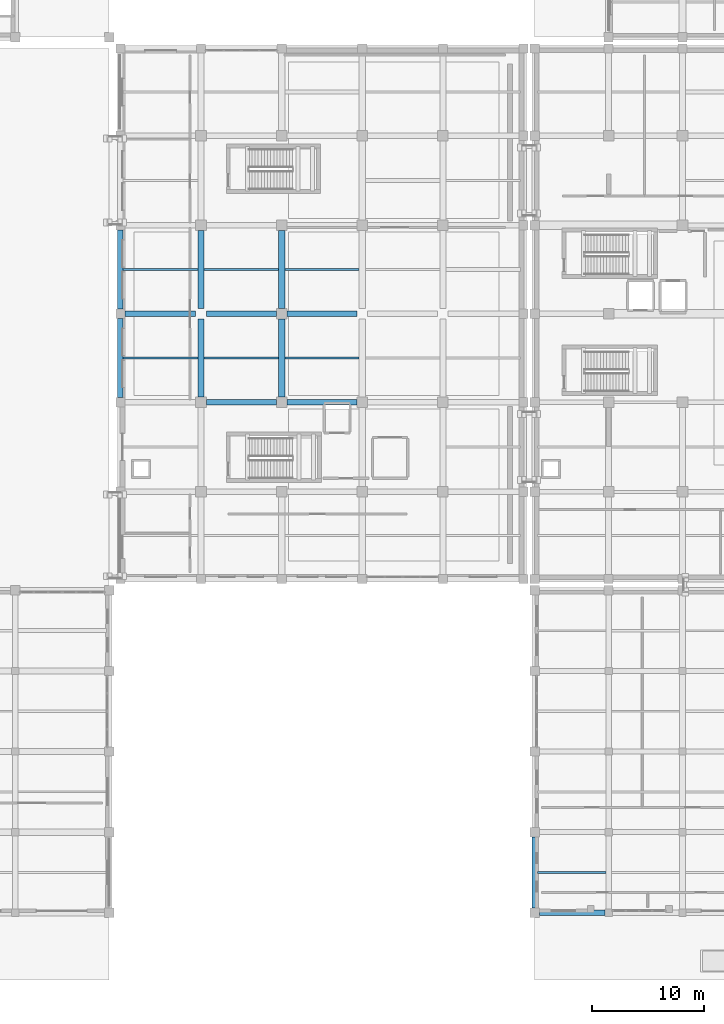
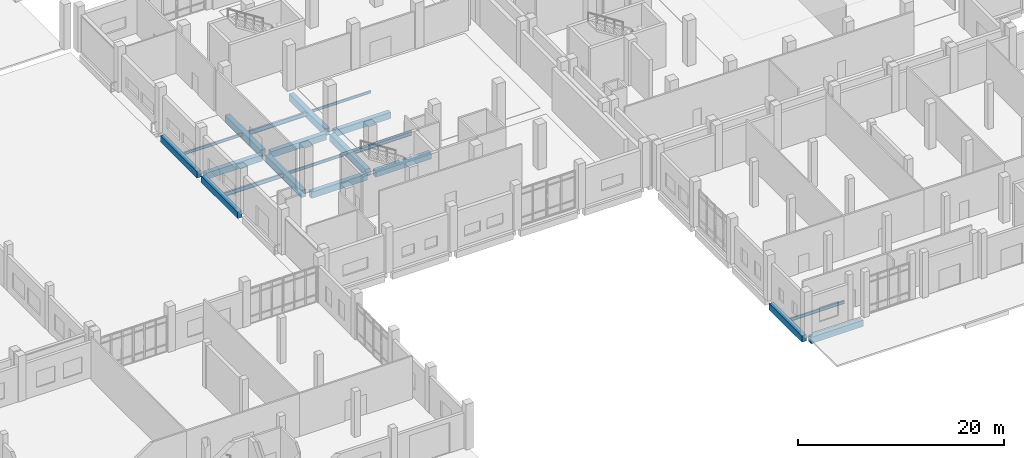
# One storey, part 11 of 79: 20 beams.
"""IFC4 building model written with IfcOpenShell, lengths in metres."""

from ifc_helpers import new_model, si_unit, direction, frame, origin, origin_2d, place, context, subcontext, project, spatial, rectangle, i_section, extrude, material, material_profile, profile_set, type_object, element, save


model = new_model("IFC4")

# Units and contexts
model_context = context("Model", 3, precision=1e-05, world=origin(), true_north=direction((0.0, 1.0)))
body_context = subcontext(model_context, "Body", "Model", "MODEL_VIEW")
ifc_project = project(units=[si_unit("LENGTHUNIT", "METRE"), si_unit("AREAUNIT", "SQUARE_METRE"), si_unit("VOLUMEUNIT", "CUBIC_METRE"), si_unit("PLANEANGLEUNIT", "RADIAN"), si_unit("MASSUNIT", "GRAM", prefix="KILO")], contexts=[model_context])

# Site, building, storey
site_placement = place(None, origin())
site = spatial("IfcSite", under=ifc_project, at=site_placement, CompositionType="ELEMENT")
building_placement = place(site_placement, origin())
building = spatial("IfcBuilding", under=site, at=building_placement, Name="Kelarvand Opera House", CompositionType="ELEMENT")
storey_placement = place(building_placement, origin())
storey = spatial("IfcBuildingStorey", under=building, at=storey_placement, Name="L00", CompositionType="ELEMENT", Elevation=0.0)

# Beams
ifc_material_1 = material(Name="Concrete C40/50", Category="concrete")
ifc_material_profile_1 = material_profile(ifc_material_1, rectangle(XDim=0.5, YDim=0.75, at=origin_2d()), Name="RC 500x750", Category="concrete")
ifc_profile_set_1 = profile_set([ifc_material_profile_1], Name="Concrete C40/50")
beam_type_1 = type_object("IfcBeamType", Name="Structural Beam RC 500x750 BM-RC500x750", PredefinedType="BEAM", material=ifc_profile_set_1)
for number, where, z_axis, x_axis, name in (
    (1, (59.675048828125, 54.60009765625, -0.695068359375), (1.0, 0.0, 0.0), (0.0, 1.0, 0.0), "V2 L00 Beam BM-RC500x750"),
    (2, (66.875, 54.60009765625, -0.695068359375), (1.0, 0.0, 0.0), (0.0, 1.0, 0.0), "V2 L00 Beam BM-RC500x750"),
):
    element("IfcBeam", number, at=place(storey_placement, frame(where, z_axis=z_axis, x_axis=x_axis)), inside=storey, type_object=beam_type_1, Name=name, PredefinedType="BEAM", context=body_context, shape_type="SweptSolid", body=[
        extrude(rectangle(XDim=0.5, YDim=0.75, at=origin_2d()), origin(), (0.0, 0.0, 1.0), 6.25),
    ])
beam_1_placement = place(storey_placement, frame((52.409912109375, 62.5, -0.695068359375), z_axis=(1.0, 0.0, 0.0), x_axis=(0.0, 1.0, 0.0)))
element("IfcBeam", 3, at=beam_1_placement, inside=storey, type_object=beam_type_1, Name="V2 L00 Beam BM-RC500x750", PredefinedType="BEAM", context=body_context, shape_type="SweptSolid", body=[
    extrude(rectangle(XDim=0.5, YDim=0.75, at=origin_2d()), origin(), (0.0, 0.0, 1.0), 6.315185546875),
])
for number, where, z_axis, x_axis, name in (
    (4, (59.675048828125, 62.5, -0.695068359375), (1.0, 0.0, 0.0), (0.0, 1.0, 0.0), "V2 L00 Beam BM-RC500x750"),
    (5, (66.875, 62.5, -0.695068359375), (1.0, 0.0, 0.0), (0.0, 1.0, 0.0), "V2 L00 Beam BM-RC500x750"),
):
    element("IfcBeam", number, at=place(storey_placement, frame(where, z_axis=z_axis, x_axis=x_axis)), inside=storey, type_object=beam_type_1, Name=name, PredefinedType="BEAM", context=body_context, shape_type="SweptSolid", body=[
        extrude(rectangle(XDim=0.5, YDim=0.75, at=origin_2d()), origin(), (0.0, 0.0, 1.0), 6.25),
    ])
ifc_material_profile_2 = material_profile(ifc_material_1, rectangle(XDim=0.550048828125, YDim=0.85009765625, at=origin_2d()), Name="RC 550x850", Category="concrete")
ifc_profile_set_2 = profile_set([ifc_material_profile_2], Name="Concrete C40/50")
beam_type_2 = type_object("IfcBeamType", Name="Structural Beam RC 550x850 BM-RC550x850", PredefinedType="BEAM", material=ifc_profile_set_2)
for number, where, z_axis, x_axis, name in (
    (6, (59.199951171875, 55.074951171875, -0.7451171875), (0.0, 1.0, 0.0), (-1.0, 0.0, 0.0), "V2 L00 Beam BM-RC550x850"),
    (7, (59.199951171875, 62.97509765625, -0.7451171875), (0.0, 1.0, 0.0), (-1.0, 0.0, 0.0), "V2 L00 Beam BM-RC550x850"),
    (8, (66.39990234375, 55.074951171875, -0.7451171875), (0.0, 1.0, 0.0), (-1.0, 0.0, 0.0), "V2 L00 Beam BM-RC550x850"),
    (9, (66.39990234375, 62.97509765625, -0.7451171875), (0.0, 1.0, 0.0), (-1.0, 0.0, 0.0), "V2 L00 Beam BM-RC550x850"),
):
    element("IfcBeam", number, at=place(storey_placement, frame(where, z_axis=z_axis, x_axis=x_axis)), inside=storey, type_object=beam_type_2, Name=name, PredefinedType="BEAM", context=body_context, shape_type="SweptSolid", body=[
        extrude(rectangle(XDim=0.550048828125, YDim=0.85009765625, at=origin_2d()), origin(), (0.0, 0.0, 1.0), 6.949951171875),
    ])
ifc_material_2 = material(Name="Steel S355", Category="steel")
ifc_material_profile_3 = material_profile(ifc_material_2, i_section(OverallWidth=0.14990234375, OverallDepth=0.300048828125, WebThickness=0.007080078125, FlangeThickness=0.0107421875, at=origin_2d()), Name="IPE 300", Category="steel")
ifc_profile_set_3 = profile_set([ifc_material_profile_3], Name="Steel S355")
beam_type_3 = type_object("IfcBeamType", Name="Structural Joist IPE 300 JS-IPE300", PredefinedType="JOIST", material=ifc_profile_set_3)
beam_2_placement = place(storey_placement, frame((66.675048828125, 66.449951171875, -0.469970703125), z_axis=(1.0, 0.0, 0.0), x_axis=(0.0, 1.0, 0.0)))
element("IfcBeam", 10, at=beam_2_placement, inside=storey, type_object=beam_type_3, Name="V2 L00 Beam JS-IPE300", PredefinedType="JOIST", context=body_context, shape_type="SweptSolid", body=[
    extrude(i_section(OverallWidth=0.14990234375, OverallDepth=0.300048828125, WebThickness=0.007080078125, FlangeThickness=0.0107421875, at=origin_2d()), origin(), (0.0, 0.0, 1.0), 6.64990234375),
])
ifc_material_profile_4 = material_profile(ifc_material_2, i_section(OverallWidth=0.159912109375, OverallDepth=0.330078125, WebThickness=0.007568359375, FlangeThickness=0.011474609375, at=origin_2d()), Name="IPE 330", Category="steel")
ifc_profile_set_4 = profile_set([ifc_material_profile_4], Name="Steel S355")
beam_type_4 = type_object("IfcBeamType", Name="Structural Joist IPE 330 JS-IPE330", PredefinedType="JOIST", material=ifc_profile_set_4)
beam_3_placement = place(storey_placement, frame((52.25, 66.449951171875, -0.485107421875), z_axis=(1.0, 0.0, 0.0), x_axis=(0.0, 1.0, 0.0)))
element("IfcBeam", 11, at=beam_3_placement, inside=storey, type_object=beam_type_4, Name="V2 L00 Beam JS-IPE330", PredefinedType="JOIST", context=body_context, shape_type="SweptSolid", body=[
    extrude(i_section(OverallWidth=0.159912109375, OverallDepth=0.330078125, WebThickness=0.007568359375, FlangeThickness=0.011474609375, at=origin_2d()), origin(), (0.0, 0.0, 1.0), 6.675048828125),
])
beam_4_placement = place(storey_placement, frame((59.47509765625, 58.550048828125, -0.485107421875), z_axis=(1.0, 0.0, 0.0), x_axis=(0.0, 1.0, 0.0)))
element("IfcBeam", 12, at=beam_4_placement, inside=storey, type_object=beam_type_4, Name="V2 L00 Beam JS-IPE330", PredefinedType="JOIST", context=body_context, shape_type="SweptSolid", body=[
    extrude(i_section(OverallWidth=0.159912109375, OverallDepth=0.330078125, WebThickness=0.007568359375, FlangeThickness=0.011474609375, at=origin_2d()), origin(), (0.0, 0.0, 1.0), 6.64990234375),
])
ifc_material_profile_5 = material_profile(ifc_material_2, i_section(OverallWidth=0.169921875, OverallDepth=0.360107421875, WebThickness=0.008056640625, FlangeThickness=0.0126953125, at=origin_2d()), Name="IPE 360", Category="steel")
ifc_profile_set_5 = profile_set([ifc_material_profile_5], Name="Steel S355")
beam_type_5 = type_object("IfcBeamType", Name="Structural Joist IPE 360 JS-IPE360", PredefinedType="JOIST", material=ifc_profile_set_5)
beam_5_placement = place(storey_placement, frame((89.25, 12.60009765625, -0.47998046875), z_axis=(1.0, 0.0, 0.0), x_axis=(0.0, 1.0, 0.0)))
element("IfcBeam", 13, at=beam_5_placement, inside=storey, type_object=beam_type_5, Name="V6 L00 Beam JS-IPE360", PredefinedType="JOIST", context=body_context, shape_type="SweptSolid", body=[
    extrude(i_section(OverallWidth=0.169921875, OverallDepth=0.360107421875, WebThickness=0.008056640625, FlangeThickness=0.0126953125, at=origin_2d()), origin(), (0.0, 0.0, 1.0), 6.10009765625),
])
ifc_material_profile_6 = material_profile(ifc_material_2, i_section(OverallWidth=0.18994140625, OverallDepth=0.449951171875, WebThickness=0.009521484375, FlangeThickness=0.0146484375, at=origin_2d()), Name="IPE 450", Category="steel")
ifc_profile_set_6 = profile_set([ifc_material_profile_6], Name="Steel S355")
beam_type_6 = type_object("IfcBeamType", Name="Structural Joist IPE 450 JS-IPE450", PredefinedType="JOIST", material=ifc_profile_set_6)
beam_6_placement = place(storey_placement, frame((52.25, 58.550048828125, -0.544921875), z_axis=(1.0, 0.0, 0.0), x_axis=(0.0, 1.0, 0.0)))
element("IfcBeam", 14, at=beam_6_placement, inside=storey, type_object=beam_type_6, Name="V2 L00 Beam JS-IPE450", PredefinedType="JOIST", context=body_context, shape_type="SweptSolid", body=[
    extrude(i_section(OverallWidth=0.18994140625, OverallDepth=0.449951171875, WebThickness=0.009521484375, FlangeThickness=0.0146484375, at=origin_2d()), origin(), (0.0, 0.0, 1.0), 6.675048828125),
])
ifc_material_profile_7 = material_profile(ifc_material_2, i_section(OverallWidth=0.199951171875, OverallDepth=0.5, WebThickness=0.01025390625, FlangeThickness=0.01611328125, at=origin_2d()), Name="IPE 500", Category="steel")
ifc_profile_set_7 = profile_set([ifc_material_profile_7], Name="Steel S355")
beam_type_7 = type_object("IfcBeamType", Name="Structural Joist IPE 500 JS-IPE500", PredefinedType="JOIST", material=ifc_profile_set_7)
for number, where, z_axis, x_axis, name in (
    (15, (59.47509765625, 66.449951171875, -0.570068359375), (1.0, 0.0, 0.0), (0.0, 1.0, 0.0), "V2 L00 Beam JS-IPE500"),
    (16, (66.675048828125, 58.550048828125, -0.570068359375), (1.0, 0.0, 0.0), (0.0, 1.0, 0.0), "V2 L00 Beam JS-IPE500"),
):
    element("IfcBeam", number, at=place(storey_placement, frame(where, z_axis=z_axis, x_axis=x_axis)), inside=storey, type_object=beam_type_7, Name=name, PredefinedType="JOIST", context=body_context, shape_type="SweptSolid", body=[
        extrude(i_section(OverallWidth=0.199951171875, OverallDepth=0.5, WebThickness=0.01025390625, FlangeThickness=0.01611328125, at=origin_2d()), origin(), (0.0, 0.0, 1.0), 6.64990234375),
    ])
ifc_material_profile_8 = material_profile(ifc_material_1, rectangle(XDim=0.5, YDim=0.75, at=origin_2d()), Name="RC 500x750", Category="concrete")
ifc_profile_set_8 = profile_set([ifc_material_profile_8], Name="Concrete C40/50")
beam_type_8 = type_object("IfcBeamType", Name="Structural Spandrel RC 500x750 SP-RC500x750E", PredefinedType="SPANDREL", material=ifc_profile_set_8)
for number, where, z_axis, x_axis, name in (
    (17, (52.0, 55.010009765625, -0.695068359375), (0.0, 1.0, 0.0), (-1.0, 0.0, 0.0), "V2 L00 Beam SP-RC500x750E"),
    (18, (52.0, 62.909912109375, -0.695068359375), (0.0, 1.0, 0.0), (-1.0, 0.0, 0.0), "V2 L00 Beam SP-RC500x750E"),
):
    element("IfcBeam", number, at=place(storey_placement, frame(where, z_axis=z_axis, x_axis=x_axis)), inside=storey, type_object=beam_type_8, Name=name, PredefinedType="SPANDREL", context=body_context, shape_type="SweptSolid", body=[
        extrude(rectangle(XDim=0.5, YDim=0.75, at=origin_2d()), origin(), (0.0, 0.0, 1.0), 7.080078125),
    ])
beam_7_placement = place(storey_placement, frame((89.409912109375, 9.0, -0.675048828125), z_axis=(1.0, 0.0, 0.0), x_axis=(0.0, 1.0, 0.0)))
element("IfcBeam", 19, at=beam_7_placement, inside=storey, type_object=beam_type_8, Name="V6 L00 Beam SP-RC500x750E", PredefinedType="SPANDREL", context=body_context, shape_type="SweptSolid", body=[
    extrude(rectangle(XDim=0.5, YDim=0.75, at=origin_2d()), origin(), (0.0, 0.0, 1.0), 5.864990234375),
])
beam_8_placement = place(storey_placement, frame((89.0, 9.409912109375, -0.675048828125), z_axis=(0.0, 1.0, 0.0), x_axis=(-1.0, 0.0, 0.0)))
element("IfcBeam", 20, at=beam_8_placement, inside=storey, type_object=beam_type_8, Name="V6 L00 Beam SP-RC500x750E", PredefinedType="SPANDREL", context=body_context, shape_type="SweptSolid", body=[
    extrude(rectangle(XDim=0.5, YDim=0.75, at=origin_2d()), origin(), (0.0, 0.0, 1.0), 6.380126953125),
])

save(model, "model.ifc")
